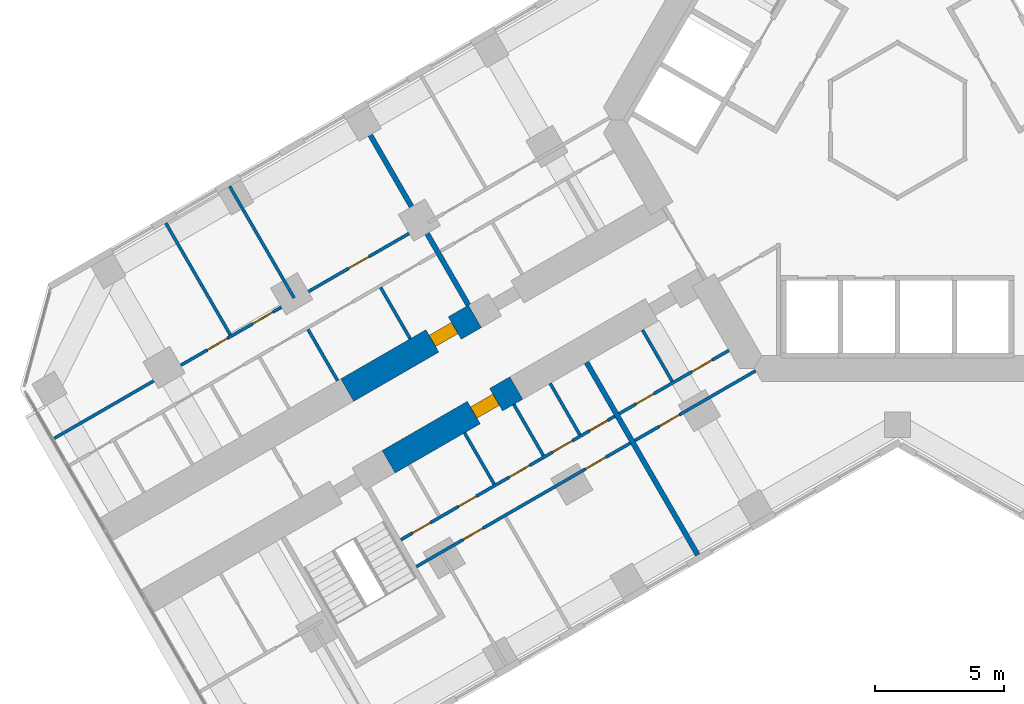
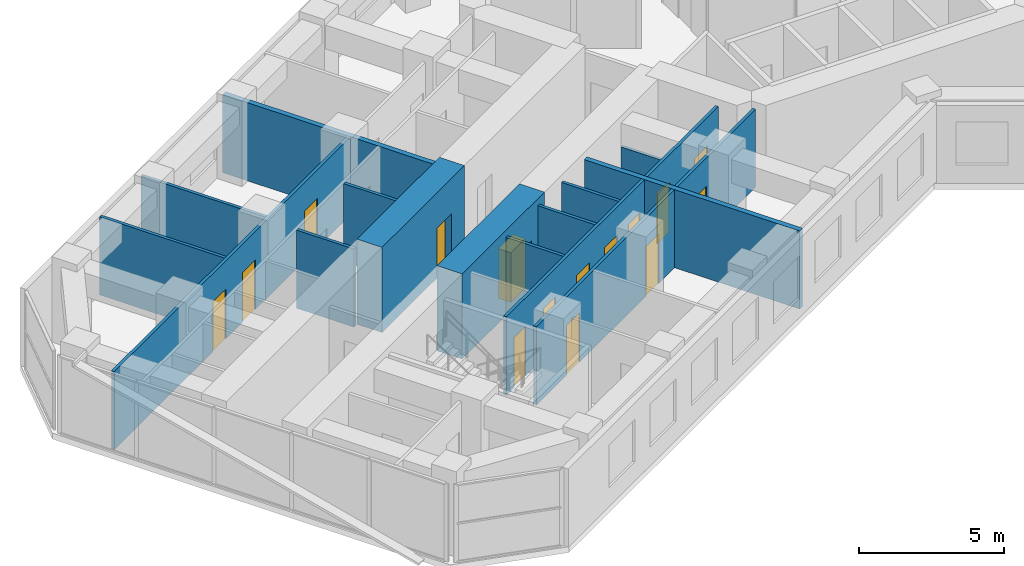
# One storey, part 11 of 21: 17 walls, 15 doors, 15 openings.
"""IFC4 building model written with IfcOpenShell, lengths in metres."""

from ifc_helpers import new_model, si_unit, direction, frame, frame_2d, origin, place, context, subcontext, project, spatial, rectangle, extrude, material, layer, layer_set, type_object, element, fill, save


model = new_model("IFC4")

# Units and contexts
model_context = context("Model", 3, precision=1e-05, world=origin(), true_north=direction((0.0, 1.0)))
body_context = subcontext(model_context, "Body", "Model", "MODEL_VIEW")
ifc_project = project(units=[si_unit("LENGTHUNIT", "METRE"), si_unit("AREAUNIT", "SQUARE_METRE"), si_unit("VOLUMEUNIT", "CUBIC_METRE"), si_unit("PLANEANGLEUNIT", "RADIAN"), si_unit("MASSUNIT", "GRAM", prefix="KILO")], contexts=[model_context])

# Site, building, storey
site_placement = place(None, origin())
site = spatial("IfcSite", under=ifc_project, at=site_placement, CompositionType="ELEMENT")
building_placement = place(site_placement, origin())
building = spatial("IfcBuilding", under=site, at=building_placement, Name="Kosmar Iwan School Tower", CompositionType="ELEMENT")
storey_placement = place(building_placement, frame((0.0, 0.0, 109.60009765625)))
storey = spatial("IfcBuildingStorey", under=building, at=storey_placement, Name="L27", CompositionType="ELEMENT", Elevation=109.60009765625)

# Wall, opening, door
ifc_material_1 = material(Name="Concrete C50/60", Category="concrete")
ifc_layer_1 = layer(ifc_material_1, 1.0)
ifc_layer_set_1 = layer_set([ifc_layer_1], Name="Corridor buttress wall 1000")
wall_type_1 = type_object("IfcWallType", Name="Corridor buttress wall 1000", PredefinedType="SHEAR", material=ifc_layer_set_1)
wall_1_placement = place(storey_placement, frame((-14.7451171875, -10.360595703125, 0.0), z_axis=(0.0, 0.0, 1.0), x_axis=(-0.866015111908, -0.50001782563, 0.0)))
wall_1 = element("IfcWall", 1, at=wall_1_placement, inside=storey, type_object=wall_type_1, Name="Corridor wall BL bay 2", PredefinedType="SHEAR", context=body_context, shape_type="SweptSolid", body=[
    extrude(rectangle(XDim=5.699951171875, YDim=1.0, at=frame_2d((2.85009765625, 0.0))), origin(), (0.0, 0.0, 1.0), 3.599853515625),
])
opening_1_placement = place(wall_1_placement, frame((0.89990234375, 0.0, 0.0)))
opening_1 = element("IfcOpeningElement", 2, at=opening_1_placement, cuts=wall_1, Name="Opening D1", PredefinedType="OPENING", context=body_context, shape_type="SweptSolid", body=[
    extrude(rectangle(XDim=1.0, YDim=2.10009765625, at=frame_2d((0.5, 1.050048828125))), frame((0.0, 0.511962890625, 0.0), z_axis=(0.0, -1.0, 0.0), x_axis=(1.0, 0.0, 0.0)), (0.0, 0.0, 1.0), 1.02392578125),
])
ifc_material_2 = material(Name="Timber fire door in steel frame", Category="steel")
door_type_1 = type_object("IfcDoorType", Name="Flat entrance door 1000x2100", OperationType="SINGLE_SWING_LEFT", PredefinedType="DOOR", material=ifc_material_2)
door_1_placement = place(opening_1_placement, origin())
door_1 = element("IfcDoor", 3, at=door_1_placement, inside=storey, type_object=door_type_1, Name="Flat L27-BL2 entrance door", OperationType="SINGLE_SWING_LEFT", OverallHeight=2.10009765625, OverallWidth=1.0, PredefinedType="DOOR", context=body_context, shape_type="SweptSolid", body=[
    extrude(rectangle(XDim=1.0, YDim=2.10009765625, at=frame_2d((0.5, 1.050048828125))), frame((0.0, 0.25, 0.0), z_axis=(0.0, -1.0, 0.0), x_axis=(1.0, 0.0, 0.0)), (0.0, 0.0, 1.0), 0.5),
])
fill(opening_1, door_1)

wall_2_placement = place(storey_placement, frame((-16.34521484375, -7.58935546875, 0.0), z_axis=(0.0, 0.0, 1.0), x_axis=(-0.866015111908, -0.50001782563, 0.0)))
wall_2 = element("IfcWall", 4, at=wall_2_placement, inside=storey, type_object=wall_type_1, Name="Corridor wall BR bay 2", PredefinedType="SHEAR", context=body_context, shape_type="SweptSolid", body=[
    extrude(rectangle(XDim=5.699951171875, YDim=1.0, at=frame_2d((2.85009765625, 0.0))), origin(), (0.0, 0.0, 1.0), 3.599853515625),
])
opening_2_placement = place(wall_2_placement, frame((0.89990234375, 0.0, 0.0)))
opening_2 = element("IfcOpeningElement", 5, at=opening_2_placement, cuts=wall_2, Name="Opening D1", PredefinedType="OPENING", context=body_context, shape_type="SweptSolid", body=[
    extrude(rectangle(XDim=1.0, YDim=2.10009765625, at=frame_2d((0.5, 1.050048828125))), frame((0.0, 0.511962890625, 0.0), z_axis=(0.0, -1.0, 0.0), x_axis=(1.0, 0.0, 0.0)), (0.0, 0.0, 1.0), 1.02392578125),
])
door_2_placement = place(opening_2_placement, origin())
door_2 = element("IfcDoor", 6, at=door_2_placement, inside=storey, type_object=door_type_1, Name="Flat L27-BR2 entrance door", OperationType="SINGLE_SWING_LEFT", OverallHeight=2.10009765625, OverallWidth=1.0, PredefinedType="DOOR", context=body_context, shape_type="SweptSolid", body=[
    extrude(rectangle(XDim=1.0, YDim=2.10009765625, at=frame_2d((0.5, 1.050048828125))), frame((0.0, 0.25, 0.0), z_axis=(0.0, -1.0, 0.0), x_axis=(1.0, 0.0, 0.0)), (0.0, 0.0, 1.0), 0.5),
])
fill(opening_2, door_2)

# Wall, openings, doors
ifc_material_3 = material(Name="Gypsum board on steel studs", Category="steel")
ifc_layer_2 = layer(ifc_material_3, 0.1201171875)
ifc_layer_set_2 = layer_set([ifc_layer_2], Name="Dwelling partition 120")
wall_type_2 = type_object("IfcWallType", Name="Dwelling partition 120", PredefinedType="PARTITIONING", material=ifc_layer_set_2)
wall_3_placement = place(storey_placement, frame((-6.521728515625, -8.90380859375, 0.0), z_axis=(0.0, 0.0, 1.0), x_axis=(-0.866036242063, -0.49998122708, 0.0)))
wall_3 = element("IfcWall", 7, at=wall_3_placement, inside=storey, type_object=wall_type_2, Name="Partition L27-BL1-W1", PredefinedType="PARTITIONING", context=body_context, shape_type="SweptSolid", body=[
    extrude(rectangle(XDim=4.900146484375, YDim=0.1201171875, at=frame_2d((2.4501953125, 0.0))), origin(), (0.0, 0.0, 1.0), 3.2998046875),
])
opening_3_placement = place(wall_3_placement, frame((0.75, 0.0, 0.0)))
opening_3 = element("IfcOpeningElement", 8, at=opening_3_placement, cuts=wall_3, Name="Opening D2", PredefinedType="OPENING", context=body_context, shape_type="SweptSolid", body=[
    extrude(rectangle(XDim=0.89990234375, YDim=2.10009765625, at=frame_2d((0.449951171875, 1.050048828125))), frame((0.0, 0.072021484375, 0.0), z_axis=(0.0, -1.0, 0.0), x_axis=(1.0, 0.0, 0.0)), (0.0, 0.0, 1.0), 0.14404296875),
])
opening_4_placement = place(wall_3_placement, frame((3.35009765625, 0.0, 0.0)))
opening_4 = element("IfcOpeningElement", 9, at=opening_4_placement, cuts=wall_3, Name="Opening D3", PredefinedType="OPENING", context=body_context, shape_type="SweptSolid", body=[
    extrude(rectangle(XDim=0.800048828125, YDim=2.10009765625, at=frame_2d((0.39990234375, 1.050048828125))), frame((0.0, 0.072021484375, 0.0), z_axis=(0.0, -1.0, 0.0), x_axis=(1.0, 0.0, 0.0)), (0.0, 0.0, 1.0), 0.14404296875),
])
ifc_material_4 = material(Name="Timber door in timber frame", Category="wood")
door_type_2 = type_object("IfcDoorType", Name="Internal door 900x2100", OperationType="SINGLE_SWING_LEFT", PredefinedType="DOOR", material=ifc_material_4)
door_3_placement = place(opening_3_placement, origin())
door_3 = element("IfcDoor", 10, at=door_3_placement, inside=storey, type_object=door_type_2, Name="Entrance hall door L27-BL1-S1", OperationType="SINGLE_SWING_LEFT", OverallHeight=2.10009765625, OverallWidth=0.89990234375, PredefinedType="DOOR", context=body_context, shape_type="SweptSolid", body=[
    extrude(rectangle(XDim=0.89990234375, YDim=2.10009765625, at=frame_2d((0.449951171875, 1.050048828125))), frame((0.0, 0.02490234375, 0.0), z_axis=(0.0, -1.0, 0.0), x_axis=(1.0, 0.0, 0.0)), (0.0, 0.0, 1.0), 0.050048828125),
])
fill(opening_3, door_3)
ifc_material_5 = material(Name="Timber door in timber frame", Category="wood")
door_type_3 = type_object("IfcDoorType", Name="Sanitary room door 800x2100", OperationType="SINGLE_SWING_LEFT", PredefinedType="DOOR", material=ifc_material_5)
door_4_placement = place(opening_4_placement, origin())
door_4 = element("IfcDoor", 11, at=door_4_placement, inside=storey, type_object=door_type_3, Name="Bathroom door L27-BL1-S2", OperationType="SINGLE_SWING_RIGHT", OverallHeight=2.10009765625, OverallWidth=0.800048828125, PredefinedType="DOOR", context=body_context, shape_type="SweptSolid", body=[
    extrude(rectangle(XDim=0.800048828125, YDim=2.10009765625, at=frame_2d((0.39990234375, 1.050048828125))), frame((0.0, 0.02490234375, 0.0), z_axis=(0.0, -1.0, 0.0), x_axis=(1.0, 0.0, 0.0)), (0.0, 0.0, 1.0), 0.050048828125),
])
fill(opening_4, door_4)

# Wall, opening, door
wall_4_placement = place(storey_placement, frame((-5.48876953125, -9.693115234375, 0.0), z_axis=(0.0, 0.0, 1.0), x_axis=(-0.866028230842, -0.499995103361, 0.0)))
wall_4 = element("IfcWall", 12, at=wall_4_placement, inside=storey, type_object=wall_type_2, Name="Partition L27-BL1-W2", PredefinedType="PARTITIONING", context=body_context, shape_type="SweptSolid", body=[
    extrude(rectangle(XDim=5.39990234375, YDim=0.1201171875, at=frame_2d((2.699951171875, 0.0))), origin(), (0.0, 0.0, 1.0), 3.2998046875),
])
opening_5_placement = place(wall_4_placement, frame((3.39990234375, 0.0, 0.0)))
opening_5 = element("IfcOpeningElement", 13, at=opening_5_placement, cuts=wall_4, Name="Opening D2", PredefinedType="OPENING", context=body_context, shape_type="SweptSolid", body=[
    extrude(rectangle(XDim=0.89990234375, YDim=2.10009765625, at=frame_2d((0.449951171875, 1.050048828125))), frame((0.0, 0.072021484375, 0.0), z_axis=(0.0, -1.0, 0.0), x_axis=(1.0, 0.0, 0.0)), (0.0, 0.0, 1.0), 0.14404296875),
])
door_5_placement = place(opening_5_placement, origin())
door_5 = element("IfcDoor", 14, at=door_5_placement, inside=storey, type_object=door_type_2, Name="Studio living room and kitchen door L27-BL1-F1", OperationType="SINGLE_SWING_RIGHT", OverallHeight=2.10009765625, OverallWidth=0.89990234375, PredefinedType="DOOR", context=body_context, shape_type="SweptSolid", body=[
    extrude(rectangle(XDim=0.89990234375, YDim=2.10009765625, at=frame_2d((0.449951171875, 1.050048828125))), frame((0.0, 0.02490234375, 0.0), z_axis=(0.0, -1.0, 0.0), x_axis=(1.0, 0.0, 0.0)), (0.0, 0.0, 1.0), 0.050048828125),
])
fill(opening_5, door_5)

# Wall
wall_5_placement = place(storey_placement, frame((-9.86181640625, -8.11865234375, 0.0), z_axis=(0.0, 0.0, 1.0), x_axis=(0.500014693593, -0.866016920268, 0.0)))
element("IfcWall", 15, at=wall_5_placement, inside=storey, type_object=wall_type_2, Name="Partition L27-BL1-Y1", PredefinedType="PARTITIONING", context=body_context, shape_type="SweptSolid", body=[
    extrude(rectangle(XDim=2.2900390625, YDim=0.1201171875, at=frame_2d((1.14501953125, 0.0))), origin(), (0.0, 0.0, 1.0), 2.2998046875),
])

# Wall, openings, doors
wall_6_placement = place(storey_placement, frame((-10.9384765625, -11.453857421875, 0.0), z_axis=(0.0, 0.0, 1.0), x_axis=(-0.866035311659, -0.499982838664, 0.0)))
wall_6 = element("IfcWall", 16, at=wall_6_placement, inside=storey, type_object=wall_type_2, Name="Partition L27-BL2-W1", PredefinedType="PARTITIONING", context=body_context, shape_type="SweptSolid", body=[
    extrude(rectangle(XDim=9.550048828125, YDim=0.1201171875, at=frame_2d((4.77490234375, 0.0))), origin(), (0.0, 0.0, 1.0), 3.2998046875),
])
opening_6_placement = place(wall_6_placement, frame((0.3125, 0.0, 0.0)))
opening_6 = element("IfcOpeningElement", 17, at=opening_6_placement, cuts=wall_6, Name="Opening D3", PredefinedType="OPENING", context=body_context, shape_type="SweptSolid", body=[
    extrude(rectangle(XDim=0.800048828125, YDim=2.10009765625, at=frame_2d((0.39990234375, 1.050048828125))), frame((0.0, 0.072021484375, 0.0), z_axis=(0.0, -1.0, 0.0), x_axis=(1.0, 0.0, 0.0)), (0.0, 0.0, 1.0), 0.14404296875),
])
opening_7_placement = place(wall_6_placement, frame((1.887451171875, 0.0, 0.0)))
opening_7 = element("IfcOpeningElement", 18, at=opening_7_placement, cuts=wall_6, Name="Opening D2", PredefinedType="OPENING", context=body_context, shape_type="SweptSolid", body=[
    extrude(rectangle(XDim=0.89990234375, YDim=2.10009765625, at=frame_2d((0.449951171875, 1.050048828125))), frame((0.0, 0.072021484375, 0.0), z_axis=(0.0, -1.0, 0.0), x_axis=(1.0, 0.0, 0.0)), (0.0, 0.0, 1.0), 0.14404296875),
])
opening_8_placement = place(wall_6_placement, frame((3.800048828125, 0.0, 0.0)))
opening_8 = element("IfcOpeningElement", 19, at=opening_8_placement, cuts=wall_6, Name="Opening D2", PredefinedType="OPENING", context=body_context, shape_type="SweptSolid", body=[
    extrude(rectangle(XDim=0.89990234375, YDim=2.10009765625, at=frame_2d((0.449951171875, 1.050048828125))), frame((0.0, 0.072021484375, 0.0), z_axis=(0.0, -1.0, 0.0), x_axis=(1.0, 0.0, 0.0)), (0.0, 0.0, 1.0), 0.14404296875),
])
opening_9_placement = place(wall_6_placement, frame((6.179931640625, 0.0, 0.0)))
opening_9 = element("IfcOpeningElement", 20, at=opening_9_placement, cuts=wall_6, Name="Opening D3", PredefinedType="OPENING", context=body_context, shape_type="SweptSolid", body=[
    extrude(rectangle(XDim=0.800048828125, YDim=2.10009765625, at=frame_2d((0.39990234375, 1.050048828125))), frame((0.0, 0.072021484375, 0.0), z_axis=(0.0, -1.0, 0.0), x_axis=(1.0, 0.0, 0.0)), (0.0, 0.0, 1.0), 0.14404296875),
])
opening_10_placement = place(wall_6_placement, frame((8.22998046875, 0.0, 0.0)))
opening_10 = element("IfcOpeningElement", 21, at=opening_10_placement, cuts=wall_6, Name="Opening D3", PredefinedType="OPENING", context=body_context, shape_type="SweptSolid", body=[
    extrude(rectangle(XDim=0.800048828125, YDim=2.10009765625, at=frame_2d((0.39990234375, 1.050048828125))), frame((0.0, 0.072021484375, 0.0), z_axis=(0.0, -1.0, 0.0), x_axis=(1.0, 0.0, 0.0)), (0.0, 0.0, 1.0), 0.14404296875),
])
door_6_placement = place(opening_7_placement, frame((0.89990234375, 0.0, 0.0), z_axis=(0.0, 0.0, 1.0), x_axis=(-1.0, 0.0, 0.0)))
door_6 = element("IfcDoor", 22, at=door_6_placement, inside=storey, type_object=door_type_2, Name="Pantry door L27-BL2-S2", OperationType="SINGLE_SWING_RIGHT", OverallHeight=2.10009765625, OverallWidth=0.89990234375, PredefinedType="DOOR", context=body_context, shape_type="SweptSolid", body=[
    extrude(rectangle(XDim=0.89990234375, YDim=2.10009765625, at=frame_2d((0.449951171875, 1.050048828125))), frame((0.0, 0.02490234375, 0.0), z_axis=(0.0, -1.0, 0.0), x_axis=(1.0, 0.0, 0.0)), (0.0, 0.0, 1.0), 0.050048828125),
])
fill(opening_7, door_6)
door_7_placement = place(opening_8_placement, origin())
door_7 = element("IfcDoor", 23, at=door_7_placement, inside=storey, type_object=door_type_2, Name="Entrance hall door L27-BL2-S3", OperationType="SINGLE_SWING_LEFT", OverallHeight=2.10009765625, OverallWidth=0.89990234375, PredefinedType="DOOR", context=body_context, shape_type="SweptSolid", body=[
    extrude(rectangle(XDim=0.89990234375, YDim=2.10009765625, at=frame_2d((0.449951171875, 1.050048828125))), frame((0.0, 0.02490234375, 0.0), z_axis=(0.0, -1.0, 0.0), x_axis=(1.0, 0.0, 0.0)), (0.0, 0.0, 1.0), 0.050048828125),
])
fill(opening_8, door_7)
door_8_placement = place(opening_6_placement, origin())
door_8 = element("IfcDoor", 24, at=door_8_placement, inside=storey, type_object=door_type_3, Name="Store door L27-BL2-S1", OperationType="SINGLE_SWING_LEFT", OverallHeight=2.10009765625, OverallWidth=0.800048828125, PredefinedType="DOOR", context=body_context, shape_type="SweptSolid", body=[
    extrude(rectangle(XDim=0.800048828125, YDim=2.10009765625, at=frame_2d((0.39990234375, 1.050048828125))), frame((0.0, 0.02490234375, 0.0), z_axis=(0.0, -1.0, 0.0), x_axis=(1.0, 0.0, 0.0)), (0.0, 0.0, 1.0), 0.050048828125),
])
fill(opening_6, door_8)
door_9_placement = place(opening_9_placement, origin())
door_9 = element("IfcDoor", 25, at=door_9_placement, inside=storey, type_object=door_type_3, Name="Bathroom door L27-BL2-S4", OperationType="SINGLE_SWING_RIGHT", OverallHeight=2.10009765625, OverallWidth=0.800048828125, PredefinedType="DOOR", context=body_context, shape_type="SweptSolid", body=[
    extrude(rectangle(XDim=0.800048828125, YDim=2.10009765625, at=frame_2d((0.39990234375, 1.050048828125))), frame((0.0, 0.02490234375, 0.0), z_axis=(0.0, -1.0, 0.0), x_axis=(1.0, 0.0, 0.0)), (0.0, 0.0, 1.0), 0.050048828125),
])
fill(opening_9, door_9)
door_10_placement = place(opening_10_placement, origin())
door_10 = element("IfcDoor", 26, at=door_10_placement, inside=storey, type_object=door_type_3, Name="WC door L27-BL2-S5", OperationType="SINGLE_SWING_RIGHT", OverallHeight=2.10009765625, OverallWidth=0.800048828125, PredefinedType="DOOR", context=body_context, shape_type="SweptSolid", body=[
    extrude(rectangle(XDim=0.800048828125, YDim=2.10009765625, at=frame_2d((0.39990234375, 1.050048828125))), frame((0.0, 0.02490234375, 0.0), z_axis=(0.0, -1.0, 0.0), x_axis=(1.0, 0.0, 0.0)), (0.0, 0.0, 1.0), 0.050048828125),
])
fill(opening_10, door_10)

wall_7_placement = place(storey_placement, frame((-10.338623046875, -12.492919921875, 0.0), z_axis=(0.0, 0.0, 1.0), x_axis=(-0.866017851049, -0.500013081493, 0.0)))
wall_7 = element("IfcWall", 27, at=wall_7_placement, inside=storey, type_object=wall_type_2, Name="Partition L27-BL2-W2", PredefinedType="PARTITIONING", context=body_context, shape_type="SweptSolid", body=[
    extrude(rectangle(XDim=9.550048828125, YDim=0.1201171875, at=frame_2d((4.77490234375, 0.0))), origin(), (0.0, 0.0, 1.0), 3.2998046875),
])
opening_11_placement = place(wall_7_placement, frame((1.10009765625, 0.0, 0.0)))
opening_11 = element("IfcOpeningElement", 28, at=opening_11_placement, cuts=wall_7, Name="Opening D2", PredefinedType="OPENING", context=body_context, shape_type="SweptSolid", body=[
    extrude(rectangle(XDim=0.89990234375, YDim=2.10009765625, at=frame_2d((0.449951171875, 1.050048828125))), frame((0.0, 0.072021484375, 0.0), z_axis=(0.0, -1.0, 0.0), x_axis=(1.0, 0.0, 0.0)), (0.0, 0.0, 1.0), 0.14404296875),
])
opening_12_placement = place(wall_7_placement, frame((6.574951171875, 0.0, 0.0)))
opening_12 = element("IfcOpeningElement", 29, at=opening_12_placement, cuts=wall_7, Name="Opening D2", PredefinedType="OPENING", context=body_context, shape_type="SweptSolid", body=[
    extrude(rectangle(XDim=0.89990234375, YDim=2.10009765625, at=frame_2d((0.449951171875, 1.050048828125))), frame((0.0, 0.072021484375, 0.0), z_axis=(0.0, -1.0, 0.0), x_axis=(1.0, 0.0, 0.0)), (0.0, 0.0, 1.0), 0.14404296875),
])
door_11_placement = place(opening_11_placement, origin())
door_11 = element("IfcDoor", 30, at=door_11_placement, inside=storey, type_object=door_type_2, Name="Living room and kitchen door L27-BL2-F1", OperationType="SINGLE_SWING_LEFT", OverallHeight=2.10009765625, OverallWidth=0.89990234375, PredefinedType="DOOR", context=body_context, shape_type="SweptSolid", body=[
    extrude(rectangle(XDim=0.89990234375, YDim=2.10009765625, at=frame_2d((0.449951171875, 1.050048828125))), frame((0.0, 0.02490234375, 0.0), z_axis=(0.0, -1.0, 0.0), x_axis=(1.0, 0.0, 0.0)), (0.0, 0.0, 1.0), 0.050048828125),
])
fill(opening_11, door_11)
door_12_placement = place(opening_12_placement, origin())
door_12 = element("IfcDoor", 31, at=door_12_placement, inside=storey, type_object=door_type_2, Name="Bedroom 1 door L27-BL2-F2", OperationType="SINGLE_SWING_LEFT", OverallHeight=2.10009765625, OverallWidth=0.89990234375, PredefinedType="DOOR", context=body_context, shape_type="SweptSolid", body=[
    extrude(rectangle(XDim=0.89990234375, YDim=2.10009765625, at=frame_2d((0.449951171875, 1.050048828125))), frame((0.0, 0.02490234375, 0.0), z_axis=(0.0, -1.0, 0.0), x_axis=(1.0, 0.0, 0.0)), (0.0, 0.0, 1.0), 0.050048828125),
])
fill(opening_12, door_12)

# Walls
for number, where, z_axis, x_axis, name in (
    (32, (-13.434326171875, -10.18115234375, 0.0), (0.0, 0.0, 1.0), (0.500014693593, -0.866016920268, 0.0), "Partition L27-BL2-Y1"),
    (33, (-14.841552734375, -10.99365234375, 0.0), (0.0, 0.0, 1.0), (0.500014693593, -0.866016920268, 0.0), "Partition L27-BL2-Y2"),
    (34, (-16.746826171875, -12.09375, 0.0), (0.0, 0.0, 1.0), (0.500014693593, -0.866016920268, 0.0), "Partition L27-BL2-Y3"),
):
    element("IfcWall", number, at=place(storey_placement, frame(where, z_axis=z_axis, x_axis=x_axis)), inside=storey, type_object=wall_type_2, Name=name, PredefinedType="PARTITIONING", context=body_context, shape_type="SweptSolid", body=[
        extrude(rectangle(XDim=2.2900390625, YDim=0.1201171875, at=frame_2d((1.14501953125, 0.0))), origin(), (0.0, 0.0, 1.0), 3.2998046875),
    ])

# Wall, openings, doors
wall_8_placement = place(storey_placement, frame((-18.456787109375, -4.1318359375, 0.0), z_axis=(0.0, 0.0, 1.0), x_axis=(-0.866023907196, -0.500002592159, 0.0)))
wall_8 = element("IfcWall", 35, at=wall_8_placement, inside=storey, type_object=wall_type_2, Name="Partition L27-BR2-W2", PredefinedType="PARTITIONING", context=body_context, shape_type="SweptSolid", body=[
    extrude(rectangle(XDim=16.34521484375, YDim=0.1201171875, at=frame_2d((8.172607421875, 0.0))), origin(), (0.0, 0.0, 1.0), 3.2998046875),
])
opening_13_placement = place(wall_8_placement, frame((2.300048828125, 0.0, 0.0)))
opening_13 = element("IfcOpeningElement", 36, at=opening_13_placement, cuts=wall_8, Name="Opening D2", PredefinedType="OPENING", context=body_context, shape_type="SweptSolid", body=[
    extrude(rectangle(XDim=0.89990234375, YDim=2.10009765625, at=frame_2d((0.449951171875, 1.050048828125))), frame((0.0, 0.072021484375, 0.0), z_axis=(0.0, -1.0, 0.0), x_axis=(1.0, 0.0, 0.0)), (0.0, 0.0, 1.0), 0.14404296875),
])
opening_14_placement = place(wall_8_placement, frame((6.574951171875, 0.0, 0.0)))
opening_14 = element("IfcOpeningElement", 37, at=opening_14_placement, cuts=wall_8, Name="Opening D2", PredefinedType="OPENING", context=body_context, shape_type="SweptSolid", body=[
    extrude(rectangle(XDim=0.89990234375, YDim=2.10009765625, at=frame_2d((0.449951171875, 1.050048828125))), frame((0.0, 0.072021484375, 0.0), z_axis=(0.0, -1.0, 0.0), x_axis=(1.0, 0.0, 0.0)), (0.0, 0.0, 1.0), 0.14404296875),
])
opening_15_placement = place(wall_8_placement, frame((8.610107421875, 0.0, 0.0)))
opening_15 = element("IfcOpeningElement", 38, at=opening_15_placement, cuts=wall_8, Name="Opening D2", PredefinedType="OPENING", context=body_context, shape_type="SweptSolid", body=[
    extrude(rectangle(XDim=0.89990234375, YDim=2.10009765625, at=frame_2d((0.449951171875, 1.050048828125))), frame((0.0, 0.072021484375, 0.0), z_axis=(0.0, -1.0, 0.0), x_axis=(1.0, 0.0, 0.0)), (0.0, 0.0, 1.0), 0.14404296875),
])
door_13_placement = place(opening_13_placement, origin())
door_13 = element("IfcDoor", 39, at=door_13_placement, inside=storey, type_object=door_type_2, Name="Bedroom 1 door L27-BR2-F1", OperationType="SINGLE_SWING_LEFT", OverallHeight=2.10009765625, OverallWidth=0.89990234375, PredefinedType="DOOR", context=body_context, shape_type="SweptSolid", body=[
    extrude(rectangle(XDim=0.89990234375, YDim=2.10009765625, at=frame_2d((0.449951171875, 1.050048828125))), frame((0.0, 0.02490234375, 0.0), z_axis=(0.0, -1.0, 0.0), x_axis=(1.0, 0.0, 0.0)), (0.0, 0.0, 1.0), 0.050048828125),
])
fill(opening_13, door_13)
door_14_placement = place(opening_14_placement, origin())
door_14 = element("IfcDoor", 40, at=door_14_placement, inside=storey, type_object=door_type_2, Name="Winter garden door L27-BR2-F2", OperationType="SINGLE_SWING_LEFT", OverallHeight=2.10009765625, OverallWidth=0.89990234375, PredefinedType="DOOR", context=body_context, shape_type="SweptSolid", body=[
    extrude(rectangle(XDim=0.89990234375, YDim=2.10009765625, at=frame_2d((0.449951171875, 1.050048828125))), frame((0.0, 0.02490234375, 0.0), z_axis=(0.0, -1.0, 0.0), x_axis=(1.0, 0.0, 0.0)), (0.0, 0.0, 1.0), 0.050048828125),
])
fill(opening_14, door_14)
door_15_placement = place(opening_15_placement, origin())
door_15 = element("IfcDoor", 41, at=door_15_placement, inside=storey, type_object=door_type_2, Name="Living room and kitchen door L27-BR2-F3", OperationType="SINGLE_SWING_RIGHT", OverallHeight=2.10009765625, OverallWidth=0.89990234375, PredefinedType="DOOR", context=body_context, shape_type="SweptSolid", body=[
    extrude(rectangle(XDim=0.89990234375, YDim=2.10009765625, at=frame_2d((0.449951171875, 1.050048828125))), frame((0.0, 0.02490234375, 0.0), z_axis=(0.0, -1.0, 0.0), x_axis=(1.0, 0.0, 0.0)), (0.0, 0.0, 1.0), 0.050048828125),
])
fill(opening_15, door_15)

# Walls
for number, where, z_axis, x_axis, name in (
    (42, (-23.33642578125, -6.8798828125, 0.0), (0.0, 0.0, 1.0), (-0.500033033937, 0.866006330792, 0.0), "Partition L27-BR2-X1"),
    (43, (-25.8046875, -8.304931640625, 0.0), (0.0, 0.0, 1.0), (-0.499975153383, 0.86603974851, 0.0), "Partition L27-BR2-X2"),
):
    element("IfcWall", number, at=place(storey_placement, frame(where, z_axis=z_axis, x_axis=x_axis)), inside=storey, type_object=wall_type_2, Name=name, PredefinedType="PARTITIONING", context=body_context, shape_type="SweptSolid", body=[
        extrude(rectangle(XDim=4.989990234375, YDim=0.1201171875, at=frame_2d((2.4951171875, 0.0))), origin(), (0.0, 0.0, 1.0), 3.2998046875),
    ])
for number, where, z_axis, x_axis, name in (
    (44, (-18.846923828125, -8.456298828125, 0.0), (0.0, 0.0, 1.0), (-0.500014693593, 0.866016920268, 0.0), "Partition L27-BR2-Y1"),
    (45, (-21.65478515625, -10.077392578125, 0.0), (0.0, 0.0, 1.0), (-0.500014693593, 0.866016920268, 0.0), "Partition L27-BR2-Y2"),
):
    element("IfcWall", number, at=place(storey_placement, frame(where, z_axis=z_axis, x_axis=x_axis)), inside=storey, type_object=wall_type_2, Name=name, PredefinedType="PARTITIONING", context=body_context, shape_type="SweptSolid", body=[
        extrude(rectangle(XDim=2.2900390625, YDim=0.1201171875, at=frame_2d((1.14501953125, 0.0))), origin(), (0.0, 0.0, 1.0), 3.2998046875),
    ])
ifc_material_6 = material(Name="Concrete block masonry", Category="masonry")
ifc_layer_3 = layer(ifc_material_6, 0.199951171875)
ifc_layer_set_3 = layer_set([ifc_layer_3], Name="Party wall 200")
wall_type_3 = type_object("IfcWallType", Name="Party wall 200", PredefinedType="PARTITIONING", material=ifc_layer_set_3)
for number, where, z_axis, x_axis, name in (
    (46, (-12.027099609375, -9.36865234375, 0.0), (0.0, 0.0, 1.0), (0.500007509209, -0.866021068297, 0.0), "Partition L27-BL2-PW"),
    (47, (-16.59521484375, -7.15625, 0.0), (0.0, 0.0, 1.0), (-0.500007509209, 0.866021068297, 0.0), "Partition L27-BR2-PW"),
):
    element("IfcWall", number, at=place(storey_placement, frame(where, z_axis=z_axis, x_axis=x_axis)), inside=storey, type_object=wall_type_3, Name=name, PredefinedType="PARTITIONING", context=body_context, shape_type="SweptSolid", body=[
        extrude(rectangle(XDim=8.599853515625, YDim=0.199951171875, at=frame_2d((4.2998046875, 0.0))), origin(), (0.0, 0.0, 1.0), 3.2998046875),
    ])

save(model, "model.ifc")
